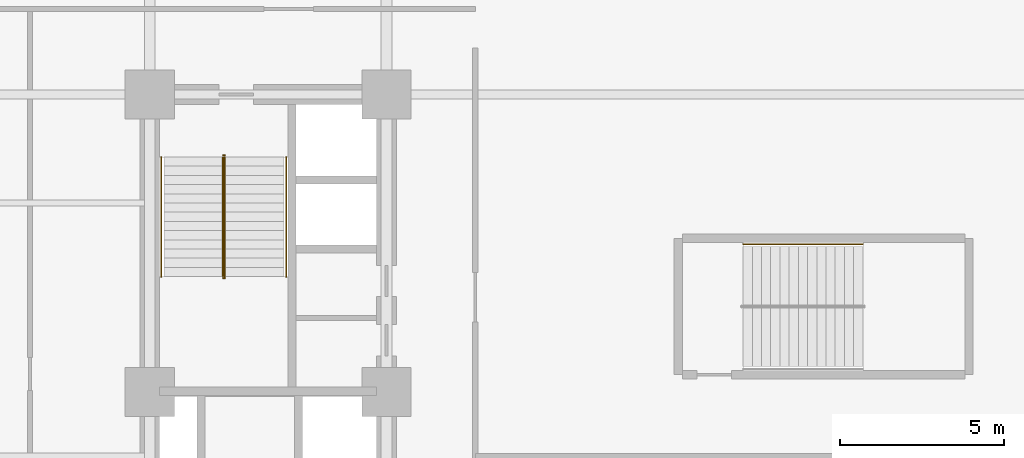
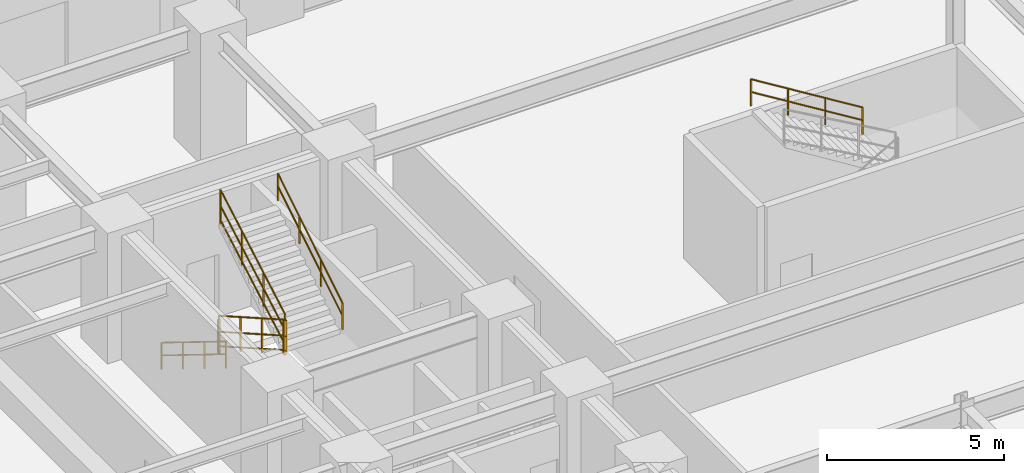
# One storey, part 15 of 15: 7 railings.
"""IFC4 building model written with IfcOpenShell, lengths in metres."""

from ifc_helpers import new_model, entity, si_unit, converted_unit, direction, frame, origin_with_axes, origin_2d_with_axis, place, context, subcontext, project, spatial, rectangle, circle, extrude, material, type_object, element, save


model = new_model("IFC4")

# Units and contexts
model_context = context("Model", 3, precision=1e-05, world=origin_with_axes(), true_north=direction((0.0, 1.0)))
body_context = subcontext(model_context, "Body", "Model", "MODEL_VIEW")
ifc_project = project(units=[si_unit("LENGTHUNIT", "METRE"), si_unit("AREAUNIT", "SQUARE_METRE"), si_unit("VOLUMEUNIT", "CUBIC_METRE"), converted_unit("PLANEANGLEUNIT", "DEGREE", entity("IfcPlaneAngleMeasure", 0.017453292519943295), si_unit("PLANEANGLEUNIT", "RADIAN"), dimensions=[0, 0, 0, 0, 0, 0, 0]), si_unit("MASSUNIT", "GRAM", prefix="KILO"), si_unit("THERMODYNAMICTEMPERATUREUNIT", "KELVIN")], contexts=[model_context])

# Site, building, storey
site_placement = place(None, origin_with_axes())
site = spatial("IfcSite", under=ifc_project, at=site_placement, CompositionType="ELEMENT")
building_placement = place(site_placement, origin_with_axes())
building = spatial("IfcBuilding", under=site, at=building_placement, Name="Varnlund Millrace Tower", CompositionType="ELEMENT")
storey_placement = place(building_placement, frame((0.0, 0.0, 10.8), z_axis=(0.0, 0.0, 1.0), x_axis=(1.0, 0.0, 0.0)))
storey = spatial("IfcBuildingStorey", under=building, at=storey_placement, Name="L02", CompositionType="ELEMENT", Elevation=10.8)

# Railings
ifc_material_1 = material(Name="Painted steel stair well balustrade guard", Category="steel")
railing_type_1 = type_object("IfcRailingType", Name="Type-StairGuard-1150", PredefinedType="GUARDRAIL", material=ifc_material_1)
railing_1_placement = place(storey_placement, frame((0.0, 0.0, -10.8), z_axis=(0.0, 0.0, 1.0), x_axis=(1.0, 0.0, 0.0)))
element("IfcRailing", 1, at=railing_1_placement, inside=storey, type_object=railing_type_1, Name="Type-StairGuard-1150", PredefinedType="GUARDRAIL", context=body_context, shape_type="SweptSolid", body=[
    extrude(circle(Radius=0.024, at=origin_2d_with_axis()), frame((13.625, 35.9, 12.123077), z_axis=(0.0, -0.868559, 0.495585), x_axis=(1.0, 0.0, 0.0)), (0.0, 0.0, 1.0), 4.190848),
    extrude(circle(Radius=0.024, at=origin_2d_with_axis()), frame((13.625, 35.9, 11.073077), z_axis=(0.0, -0.868559, 0.495585), x_axis=(1.0, 0.0, 0.0)), (0.0, 0.0, 1.0), 4.190848),
    extrude(circle(Radius=0.024, at=origin_2d_with_axis()), frame((13.625, 35.9, 11.571077), z_axis=(0.0, -0.868559, 0.495585), x_axis=(1.0, 0.0, 0.0)), (0.0, 0.0, 1.0), 4.190848),
    extrude(rectangle(XDim=0.04, YDim=0.04, at=origin_2d_with_axis()), frame((13.625, 35.9, 10.933077), z_axis=(0.0, 0.0, 1.0), x_axis=(1.0, 0.0, 0.0)), (0.0, 0.0, 1.0), 1.19),
    extrude(rectangle(XDim=0.04, YDim=0.04, at=origin_2d_with_axis()), frame((13.625, 34.686667, 11.625385), z_axis=(0.0, 0.0, 1.0), x_axis=(1.0, 0.0, 0.0)), (0.0, 0.0, 1.0), 1.19),
    extrude(rectangle(XDim=0.04, YDim=0.04, at=origin_2d_with_axis()), frame((13.625, 33.473333, 12.317692), z_axis=(0.0, 0.0, 1.0), x_axis=(1.0, 0.0, 0.0)), (0.0, 0.0, 1.0), 1.19),
    extrude(rectangle(XDim=0.04, YDim=0.04, at=origin_2d_with_axis()), frame((13.625, 32.26, 13.01), z_axis=(0.0, 0.0, 1.0), x_axis=(1.0, 0.0, 0.0)), (0.0, 0.0, 1.0), 1.19),
])
railing_2_placement = place(storey_placement, frame((0.0, 0.0, -10.8), z_axis=(0.0, 0.0, 1.0), x_axis=(1.0, 0.0, 0.0)))
element("IfcRailing", 2, at=railing_2_placement, inside=storey, type_object=railing_type_1, Name="Type-StairGuard-1150", PredefinedType="GUARDRAIL", context=body_context, shape_type="SweptSolid", body=[
    extrude(circle(Radius=0.024, at=origin_2d_with_axis()), frame((13.675, 32.21, 14.2), z_axis=(-1.0, 0.0, 0.0), x_axis=(0.0, -1.0, 0.0)), (0.0, 0.0, 1.0), 0.05),
    extrude(circle(Radius=0.024, at=origin_2d_with_axis()), frame((13.675, 32.21, 13.15), z_axis=(-1.0, 0.0, 0.0), x_axis=(0.0, -1.0, 0.0)), (0.0, 0.0, 1.0), 0.05),
    extrude(circle(Radius=0.024, at=origin_2d_with_axis()), frame((13.675, 32.21, 13.648), z_axis=(-1.0, 0.0, 0.0), x_axis=(0.0, -1.0, 0.0)), (0.0, 0.0, 1.0), 0.05),
    extrude(rectangle(XDim=0.04, YDim=0.04, at=origin_2d_with_axis()), frame((13.675, 32.21, 13.01), z_axis=(0.0, 0.0, 1.0), x_axis=(1.0, 0.0, 0.0)), (0.0, 0.0, 1.0), 1.19),
    extrude(rectangle(XDim=0.04, YDim=0.04, at=origin_2d_with_axis()), frame((13.625, 32.21, 13.01), z_axis=(0.0, 0.0, 1.0), x_axis=(1.0, 0.0, 0.0)), (0.0, 0.0, 1.0), 1.19),
])
railing_3_placement = place(storey_placement, frame((0.0, 0.0, -10.8), z_axis=(0.0, 0.0, 1.0), x_axis=(1.0, 0.0, 0.0)))
element("IfcRailing", 3, at=railing_3_placement, inside=storey, type_object=railing_type_1, Name="Type-StairGuard-1150", PredefinedType="GUARDRAIL", context=body_context, shape_type="SweptSolid", body=[
    extrude(circle(Radius=0.024, at=origin_2d_with_axis()), frame((13.675, 32.26, 14.373077), z_axis=(0.0, 0.868559, 0.495585), x_axis=(-1.0, 0.0, 0.0)), (0.0, 0.0, 1.0), 4.190848),
    extrude(circle(Radius=0.024, at=origin_2d_with_axis()), frame((13.675, 32.26, 13.323077), z_axis=(0.0, 0.868559, 0.495585), x_axis=(-1.0, 0.0, 0.0)), (0.0, 0.0, 1.0), 4.190848),
    extrude(circle(Radius=0.024, at=origin_2d_with_axis()), frame((13.675, 32.26, 13.821077), z_axis=(0.0, 0.868559, 0.495585), x_axis=(-1.0, 0.0, 0.0)), (0.0, 0.0, 1.0), 4.190848),
    extrude(rectangle(XDim=0.04, YDim=0.04, at=origin_2d_with_axis()), frame((13.675, 32.26, 13.183077), z_axis=(0.0, 0.0, 1.0), x_axis=(1.0, 0.0, 0.0)), (0.0, 0.0, 1.0), 1.19),
    extrude(rectangle(XDim=0.04, YDim=0.04, at=origin_2d_with_axis()), frame((13.675, 33.473333, 13.875385), z_axis=(0.0, 0.0, 1.0), x_axis=(1.0, 0.0, 0.0)), (0.0, 0.0, 1.0), 1.19),
    extrude(rectangle(XDim=0.04, YDim=0.04, at=origin_2d_with_axis()), frame((13.675, 34.686667, 14.567692), z_axis=(0.0, 0.0, 1.0), x_axis=(1.0, 0.0, 0.0)), (0.0, 0.0, 1.0), 1.19),
    extrude(rectangle(XDim=0.04, YDim=0.04, at=origin_2d_with_axis()), frame((13.675, 35.9, 15.26), z_axis=(0.0, 0.0, 1.0), x_axis=(1.0, 0.0, 0.0)), (0.0, 0.0, 1.0), 1.19),
])
railing_4_placement = place(storey_placement, frame((0.0, 0.0, -10.8), z_axis=(0.0, 0.0, 1.0), x_axis=(1.0, 0.0, 0.0)))
element("IfcRailing", 4, at=railing_4_placement, inside=storey, type_object=railing_type_1, Name="Type-StairGuard-1150", PredefinedType="GUARDRAIL", context=body_context, shape_type="SweptSolid", body=[
    extrude(circle(Radius=0.024, at=origin_2d_with_axis()), frame((13.675, 35.95, 11.95), z_axis=(-1.0, 0.0, 0.0), x_axis=(0.0, -1.0, 0.0)), (0.0, 0.0, 1.0), 0.05),
    extrude(circle(Radius=0.024, at=origin_2d_with_axis()), frame((13.675, 35.95, 10.9), z_axis=(-1.0, 0.0, 0.0), x_axis=(0.0, -1.0, 0.0)), (0.0, 0.0, 1.0), 0.05),
    extrude(circle(Radius=0.024, at=origin_2d_with_axis()), frame((13.675, 35.95, 11.398), z_axis=(-1.0, 0.0, 0.0), x_axis=(0.0, -1.0, 0.0)), (0.0, 0.0, 1.0), 0.05),
    extrude(rectangle(XDim=0.04, YDim=0.04, at=origin_2d_with_axis()), frame((13.675, 35.95, 10.76), z_axis=(0.0, 0.0, 1.0), x_axis=(1.0, 0.0, 0.0)), (0.0, 0.0, 1.0), 1.19),
    extrude(rectangle(XDim=0.04, YDim=0.04, at=origin_2d_with_axis()), frame((13.625, 35.95, 10.76), z_axis=(0.0, 0.0, 1.0), x_axis=(1.0, 0.0, 0.0)), (0.0, 0.0, 1.0), 1.19),
])
ifc_material_2 = material(Name="Brushed architectural bronze stair handrail", Category="aluminium")
railing_type_2 = type_object("IfcRailingType", Name="Type-StairHandrail-900", PredefinedType="HANDRAIL", material=ifc_material_2)
railing_5_placement = place(storey_placement, frame((0.0, 0.0, -10.8), z_axis=(0.0, 0.0, 1.0), x_axis=(1.0, 0.0, 0.0)))
element("IfcRailing", 5, at=railing_5_placement, inside=storey, type_object=railing_type_2, Name="Type-StairHandrail-900", PredefinedType="HANDRAIL", context=body_context, shape_type="SweptSolid", body=[
    extrude(circle(Radius=0.024, at=origin_2d_with_axis()), frame((11.75, 35.9, 11.852662), z_axis=(0.0, -0.850614, 0.525791), x_axis=(1.0, 0.0, 0.0)), (0.0, 0.0, 1.0), 4.279264),
    extrude(circle(Radius=0.024, at=origin_2d_with_axis()), frame((11.75, 35.9, 11.41287), z_axis=(0.0, -0.850614, 0.525791), x_axis=(1.0, 0.0, 0.0)), (0.0, 0.0, 1.0), 4.279264),
    extrude(rectangle(XDim=0.04, YDim=0.04, at=origin_2d_with_axis()), frame((11.75, 35.9, 10.933077), z_axis=(0.0, 0.0, 1.0), x_axis=(1.0, 0.0, 0.0)), (0.0, 0.0, 1.0), 0.919585),
    extrude(rectangle(XDim=0.04, YDim=0.04, at=origin_2d_with_axis()), frame((11.75, 34.686667, 11.683077), z_axis=(0.0, 0.0, 1.0), x_axis=(1.0, 0.0, 0.0)), (0.0, 0.0, 1.0), 0.919585),
    extrude(rectangle(XDim=0.04, YDim=0.04, at=origin_2d_with_axis()), frame((11.75, 33.473333, 12.433077), z_axis=(0.0, 0.0, 1.0), x_axis=(1.0, 0.0, 0.0)), (0.0, 0.0, 1.0), 0.919585),
    extrude(rectangle(XDim=0.04, YDim=0.04, at=origin_2d_with_axis()), frame((11.75, 32.26, 13.183077), z_axis=(0.0, 0.0, 1.0), x_axis=(1.0, 0.0, 0.0)), (0.0, 0.0, 1.0), 0.919585),
])
railing_6_placement = place(storey_placement, frame((0.0, 0.0, -10.8), z_axis=(0.0, 0.0, 1.0), x_axis=(1.0, 0.0, 0.0)))
element("IfcRailing", 6, at=railing_6_placement, inside=storey, type_object=railing_type_2, Name="Type-StairHandrail-900", PredefinedType="HANDRAIL", context=body_context, shape_type="SweptSolid", body=[
    extrude(circle(Radius=0.024, at=origin_2d_with_axis()), frame((15.55, 32.26, 14.102662), z_axis=(0.0, 0.850614, 0.525791), x_axis=(-1.0, 0.0, 0.0)), (0.0, 0.0, 1.0), 4.279264),
    extrude(circle(Radius=0.024, at=origin_2d_with_axis()), frame((15.55, 32.26, 13.66287), z_axis=(0.0, 0.850614, 0.525791), x_axis=(-1.0, 0.0, 0.0)), (0.0, 0.0, 1.0), 4.279264),
    extrude(rectangle(XDim=0.04, YDim=0.04, at=origin_2d_with_axis()), frame((15.55, 32.26, 13.183077), z_axis=(0.0, 0.0, 1.0), x_axis=(1.0, 0.0, 0.0)), (0.0, 0.0, 1.0), 0.919585),
    extrude(rectangle(XDim=0.04, YDim=0.04, at=origin_2d_with_axis()), frame((15.55, 33.473333, 13.933077), z_axis=(0.0, 0.0, 1.0), x_axis=(1.0, 0.0, 0.0)), (0.0, 0.0, 1.0), 0.919585),
    extrude(rectangle(XDim=0.04, YDim=0.04, at=origin_2d_with_axis()), frame((15.55, 34.686667, 14.683077), z_axis=(0.0, 0.0, 1.0), x_axis=(1.0, 0.0, 0.0)), (0.0, 0.0, 1.0), 0.919585),
    extrude(rectangle(XDim=0.04, YDim=0.04, at=origin_2d_with_axis()), frame((15.55, 35.9, 15.433077), z_axis=(0.0, 0.0, 1.0), x_axis=(1.0, 0.0, 0.0)), (0.0, 0.0, 1.0), 0.919585),
])
railing_7_placement = place(storey_placement, frame((0.0, 0.0, -10.8), z_axis=(0.0, 0.0, 1.0), x_axis=(1.0, 0.0, 0.0)))
element("IfcRailing", 7, at=railing_7_placement, inside=storey, type_object=railing_type_2, Name="Type-StairHandrail-900", PredefinedType="HANDRAIL", context=body_context, shape_type="SweptSolid", body=[
    extrude(circle(Radius=0.024, at=origin_2d_with_axis()), frame((33.09, 33.25, 14.102662), z_axis=(-0.850614, 0.0, 0.525791), x_axis=(0.0, -1.0, 0.0)), (0.0, 0.0, 1.0), 4.279264),
    extrude(circle(Radius=0.024, at=origin_2d_with_axis()), frame((33.09, 33.25, 13.66287), z_axis=(-0.850614, 0.0, 0.525791), x_axis=(0.0, -1.0, 0.0)), (0.0, 0.0, 1.0), 4.279264),
    extrude(rectangle(XDim=0.04, YDim=0.04, at=origin_2d_with_axis()), frame((33.09, 33.25, 13.183077), z_axis=(0.0, 0.0, 1.0), x_axis=(1.0, 0.0, 0.0)), (0.0, 0.0, 1.0), 0.919585),
    extrude(rectangle(XDim=0.04, YDim=0.04, at=origin_2d_with_axis()), frame((31.876667, 33.25, 13.933077), z_axis=(0.0, 0.0, 1.0), x_axis=(1.0, 0.0, 0.0)), (0.0, 0.0, 1.0), 0.919585),
    extrude(rectangle(XDim=0.04, YDim=0.04, at=origin_2d_with_axis()), frame((30.663333, 33.25, 14.683077), z_axis=(0.0, 0.0, 1.0), x_axis=(1.0, 0.0, 0.0)), (0.0, 0.0, 1.0), 0.919585),
    extrude(rectangle(XDim=0.04, YDim=0.04, at=origin_2d_with_axis()), frame((29.45, 33.25, 15.433077), z_axis=(0.0, 0.0, 1.0), x_axis=(1.0, 0.0, 0.0)), (0.0, 0.0, 1.0), 0.919585),
])

save(model, "model.ifc")
